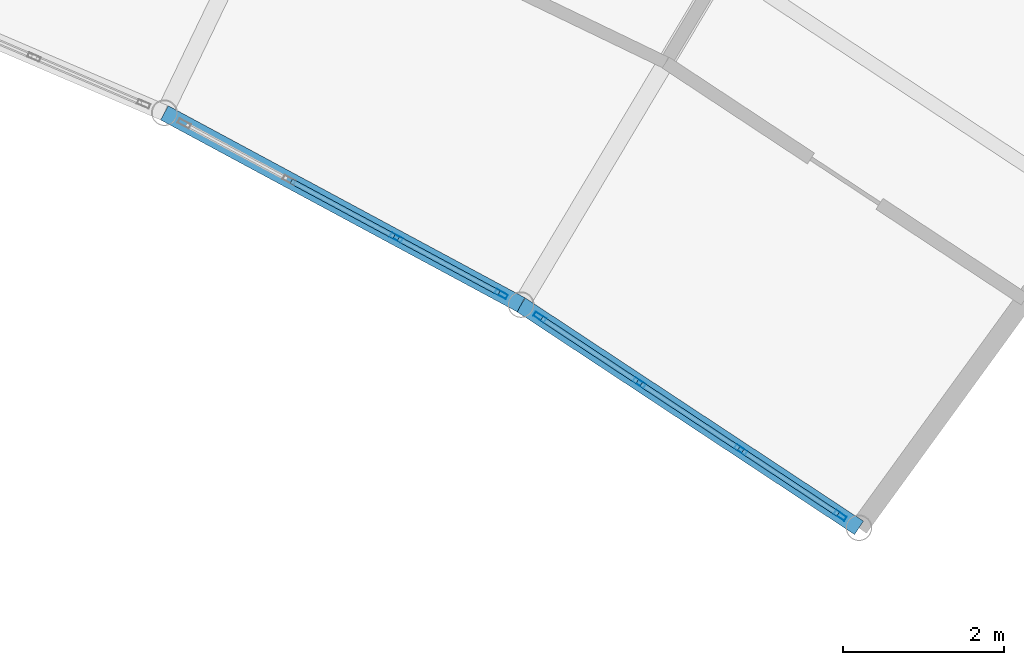
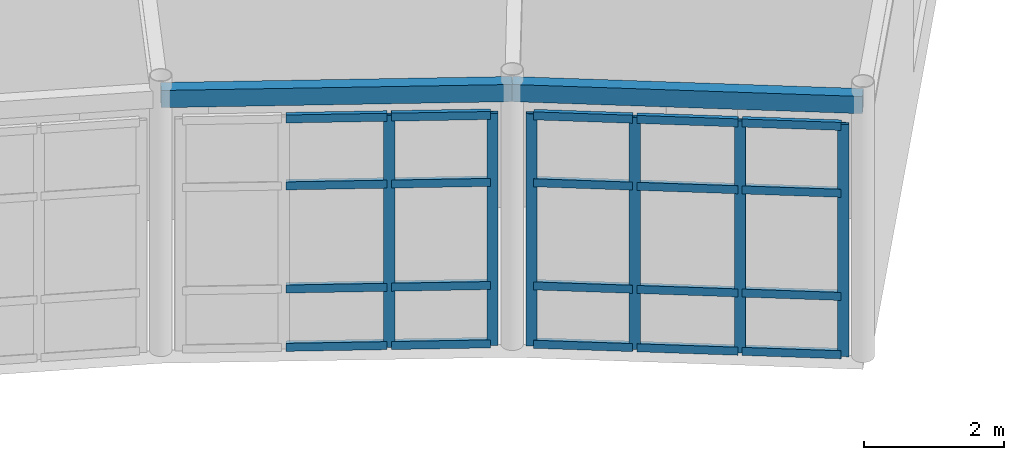
# One storey, part 68 of 105: 26 members, 2 beams, 2 elements without a shape of their own.
"""IFC4 building model written with IfcOpenShell, lengths in metres."""

from ifc_helpers import new_model, si_unit, direction, frame, origin, origin_2d, place, context, subcontext, project, spatial, hollow_rectangle, extrude, material, layer, layer_set, material_profile, profile_set, type_object, element, aggregate, save


model = new_model("IFC4")

# Units and contexts
model_context = context("Model", 3, precision=1e-05, world=origin(), true_north=direction((0.0, 1.0)))
body_context = subcontext(model_context, "Body", "Model", "MODEL_VIEW")
ifc_project = project(units=[si_unit("LENGTHUNIT", "METRE"), si_unit("AREAUNIT", "SQUARE_METRE"), si_unit("VOLUMEUNIT", "CUBIC_METRE"), si_unit("PLANEANGLEUNIT", "RADIAN"), si_unit("MASSUNIT", "GRAM", prefix="KILO")], contexts=[model_context])

# Site, building, storey
site_placement = place(None, origin())
site = spatial("IfcSite", under=ifc_project, at=site_placement, CompositionType="ELEMENT")
building_placement = place(site_placement, origin())
building = spatial("IfcBuilding", under=site, at=building_placement, Name="Selat Folded Stagehouse", CompositionType="ELEMENT")
storey_placement = place(building_placement, frame((0.0, 0.0, 10.199951171875)))
storey = spatial("IfcBuildingStorey", under=building, at=storey_placement, Name="L02", CompositionType="ELEMENT", Elevation=10.199951171875)

# Curtain wall, members
ifc_material_1 = material(Name="Aluminium 6063-T6", Category="aluminium")
ifc_layer = layer(ifc_material_1, 0.18994140625)
ifc_layer_set = layer_set([ifc_layer], Name="Aluminium 6063-T6")
curtain_wall_type = type_object("IfcCurtainWallType", Name="CW-REH-ARC", PredefinedType="NOTDEFINED", material=ifc_layer_set)
curtain_wall_1_placement = place(storey_placement, origin())
curtain_wall_1 = element("IfcCurtainWall", 1, at=curtain_wall_1_placement, inside=storey, type_object=curtain_wall_type, Name="L02 curtain wall CW-REH-L02-12", PredefinedType="NOTDEFINED")
ifc_material_profile_1 = material_profile(ifc_material_1, hollow_rectangle(XDim=0.06005859375, YDim=0.159912109375, WallThickness=0.00390625, at=origin_2d()), Name="ALU 160x60x4.0")
ifc_profile_set_1 = profile_set([ifc_material_profile_1], Name="Aluminium 6063-T6")
member_type_1 = type_object("IfcMemberType", Name="CWM-MUL-160x60", PredefinedType="MULLION", material=ifc_profile_set_1)
member_1_placement = place(storey_placement, frame((120.8759765625, 86.205810546875, 0.0), z_axis=(0.0, 0.0, 1.0), x_axis=(-0.473858636259, -0.880600927119, 0.0)))
member_1 = element("IfcMember", 2, at=member_1_placement, type_object=member_type_1, Name="CW-06 mullion 1", PredefinedType="MULLION", context=body_context, shape_type="SweptSolid", body=[
    extrude(hollow_rectangle(XDim=0.06005859375, YDim=0.159912109375, WallThickness=0.00390625, at=origin_2d()), origin(), (0.0, 0.0, 1.0), 4.050048828125),
])
member_2_placement = place(storey_placement, frame((119.573974609375, 86.90625, 0.0), z_axis=(0.0, 0.0, 1.0), x_axis=(-0.473858636259, -0.880600927119, 0.0)))
member_2 = element("IfcMember", 3, at=member_2_placement, type_object=member_type_1, Name="CW-06 mullion 2", PredefinedType="MULLION", context=body_context, shape_type="SweptSolid", body=[
    extrude(hollow_rectangle(XDim=0.06005859375, YDim=0.159912109375, WallThickness=0.00390625, at=origin_2d()), origin(), (0.0, 0.0, 1.0), 4.050048828125),
])

curtain_wall_2_placement = place(storey_placement, origin())
curtain_wall_2 = element("IfcCurtainWall", 4, at=curtain_wall_2_placement, inside=storey, type_object=curtain_wall_type, Name="L02 curtain wall CW-REH-L02-13", PredefinedType="NOTDEFINED")
member_3_placement = place(storey_placement, frame((125.082275390625, 83.459228515625, 0.0), z_axis=(0.0, 0.0, 1.0), x_axis=(-0.550884695619, -0.834581363399, 0.0)))
member_3 = element("IfcMember", 5, at=member_3_placement, type_object=member_type_1, Name="CW-06 mullion 1", PredefinedType="MULLION", context=body_context, shape_type="SweptSolid", body=[
    extrude(hollow_rectangle(XDim=0.06005859375, YDim=0.159912109375, WallThickness=0.00390625, at=origin_2d()), origin(), (0.0, 0.0, 1.0), 4.050048828125),
])
member_4_placement = place(storey_placement, frame((123.8486328125, 84.273681640625, 0.0), z_axis=(0.0, 0.0, 1.0), x_axis=(-0.550884695619, -0.834581363399, 0.0)))
member_4 = element("IfcMember", 6, at=member_4_placement, type_object=member_type_1, Name="CW-06 mullion 2", PredefinedType="MULLION", context=body_context, shape_type="SweptSolid", body=[
    extrude(hollow_rectangle(XDim=0.06005859375, YDim=0.159912109375, WallThickness=0.00390625, at=origin_2d()), origin(), (0.0, 0.0, 1.0), 4.050048828125),
])
member_5_placement = place(storey_placement, frame((122.58984375, 85.1044921875, 0.0), z_axis=(0.0, 0.0, 1.0), x_axis=(-0.550884695619, -0.834581363399, 0.0)))
member_5 = element("IfcMember", 7, at=member_5_placement, type_object=member_type_1, Name="CW-06 mullion 3", PredefinedType="MULLION", context=body_context, shape_type="SweptSolid", body=[
    extrude(hollow_rectangle(XDim=0.06005859375, YDim=0.159912109375, WallThickness=0.00390625, at=origin_2d()), origin(), (0.0, 0.0, 1.0), 4.050048828125),
])
member_6_placement = place(storey_placement, frame((121.35595703125, 85.9189453125, 0.0), z_axis=(0.0, 0.0, 1.0), x_axis=(-0.550884695619, -0.834581363399, 0.0)))
member_6 = element("IfcMember", 8, at=member_6_placement, type_object=member_type_1, Name="CW-06 mullion 4", PredefinedType="MULLION", context=body_context, shape_type="SweptSolid", body=[
    extrude(hollow_rectangle(XDim=0.06005859375, YDim=0.159912109375, WallThickness=0.00390625, at=origin_2d()), origin(), (0.0, 0.0, 1.0), 4.050048828125),
])

# Member
ifc_material_profile_2 = material_profile(ifc_material_1, hollow_rectangle(XDim=0.06494140625, YDim=0.139892578125, WallThickness=0.00390625, at=origin_2d()), Name="ALU 140x65x4.0")
ifc_profile_set_2 = profile_set([ifc_material_profile_2], Name="Aluminium 6063-T6")
member_type_2 = type_object("IfcMemberType", Name="CWM-TRN-140x65", PredefinedType="USERDEFINED", material=ifc_profile_set_2)
member_7_placement = place(storey_placement, frame((120.849365234375, 86.219970703125, 0.032470703125), z_axis=(-0.880559529871, 0.473935559283, 0.0), x_axis=(-0.473935559283, -0.880559529871, 0.0)))
member_7 = element("IfcMember", 9, at=member_7_placement, type_object=member_type_2, Name="CW-06 transom 1.1", ObjectType="TRANSOM", PredefinedType="USERDEFINED", context=body_context, shape_type="SweptSolid", body=[
    extrude(hollow_rectangle(XDim=0.06494140625, YDim=0.139892578125, WallThickness=0.00390625, at=origin_2d()), origin(), (0.0, 0.0, 1.0), 1.418212890625),
])

member_8_placement = place(storey_placement, frame((120.849365234375, 86.219970703125, 1.050048828125), z_axis=(-0.880559529871, 0.473935559283, 0.0), x_axis=(-0.473935559283, -0.880559529871, 0.0)))
member_8 = element("IfcMember", 10, at=member_8_placement, type_object=member_type_2, Name="CW-06 transom 1.2", ObjectType="TRANSOM", PredefinedType="USERDEFINED", context=body_context, shape_type="SweptSolid", body=[
    extrude(hollow_rectangle(XDim=0.06494140625, YDim=0.139892578125, WallThickness=0.00390625, at=origin_2d()), origin(), (0.0, 0.0, 1.0), 1.418212890625),
])

member_9_placement = place(storey_placement, frame((120.849365234375, 86.219970703125, 2.85009765625), z_axis=(-0.880559529871, 0.473935559283, 0.0), x_axis=(-0.473935559283, -0.880559529871, 0.0)))
member_9 = element("IfcMember", 11, at=member_9_placement, type_object=member_type_2, Name="CW-06 transom 1.3", ObjectType="TRANSOM", PredefinedType="USERDEFINED", context=body_context, shape_type="SweptSolid", body=[
    extrude(hollow_rectangle(XDim=0.06494140625, YDim=0.139892578125, WallThickness=0.00390625, at=origin_2d()), origin(), (0.0, 0.0, 1.0), 1.418212890625),
])

member_10_placement = place(storey_placement, frame((120.849365234375, 86.219970703125, 4.017578125), z_axis=(-0.880559529871, 0.473935559283, 0.0), x_axis=(-0.473935559283, -0.880559529871, 0.0)))
member_10 = element("IfcMember", 12, at=member_10_placement, type_object=member_type_2, Name="CW-06 transom 1.4", ObjectType="TRANSOM", PredefinedType="USERDEFINED", context=body_context, shape_type="SweptSolid", body=[
    extrude(hollow_rectangle(XDim=0.06494140625, YDim=0.139892578125, WallThickness=0.00390625, at=origin_2d()), origin(), (0.0, 0.0, 1.0), 1.418212890625),
])

member_11_placement = place(storey_placement, frame((119.547607421875, 86.920654296875, 0.032470703125), z_axis=(-0.880606383505, 0.473848496178, 0.0), x_axis=(-0.473848496178, -0.880606383505, 0.0)))
member_11 = element("IfcMember", 13, at=member_11_placement, type_object=member_type_2, Name="CW-06 transom 2.1", ObjectType="TRANSOM", PredefinedType="USERDEFINED", context=body_context, shape_type="SweptSolid", body=[
    extrude(hollow_rectangle(XDim=0.06494140625, YDim=0.139892578125, WallThickness=0.00390625, at=origin_2d()), origin(), (0.0, 0.0, 1.0), 1.4482421875),
])

member_12_placement = place(storey_placement, frame((119.547607421875, 86.920654296875, 1.050048828125), z_axis=(-0.880606383505, 0.473848496178, 0.0), x_axis=(-0.473848496178, -0.880606383505, 0.0)))
member_12 = element("IfcMember", 14, at=member_12_placement, type_object=member_type_2, Name="CW-06 transom 2.2", ObjectType="TRANSOM", PredefinedType="USERDEFINED", context=body_context, shape_type="SweptSolid", body=[
    extrude(hollow_rectangle(XDim=0.06494140625, YDim=0.139892578125, WallThickness=0.00390625, at=origin_2d()), origin(), (0.0, 0.0, 1.0), 1.4482421875),
])

member_13_placement = place(storey_placement, frame((119.547607421875, 86.920654296875, 2.85009765625), z_axis=(-0.880606383505, 0.473848496178, 0.0), x_axis=(-0.473848496178, -0.880606383505, 0.0)))
member_13 = element("IfcMember", 15, at=member_13_placement, type_object=member_type_2, Name="CW-06 transom 2.3", ObjectType="TRANSOM", PredefinedType="USERDEFINED", context=body_context, shape_type="SweptSolid", body=[
    extrude(hollow_rectangle(XDim=0.06494140625, YDim=0.139892578125, WallThickness=0.00390625, at=origin_2d()), origin(), (0.0, 0.0, 1.0), 1.4482421875),
])

member_14_placement = place(storey_placement, frame((119.547607421875, 86.920654296875, 4.017578125), z_axis=(-0.880606383505, 0.473848496178, 0.0), x_axis=(-0.473848496178, -0.880606383505, 0.0)))
member_14 = element("IfcMember", 16, at=member_14_placement, type_object=member_type_2, Name="CW-06 transom 2.4", ObjectType="TRANSOM", PredefinedType="USERDEFINED", context=body_context, shape_type="SweptSolid", body=[
    extrude(hollow_rectangle(XDim=0.06494140625, YDim=0.139892578125, WallThickness=0.00390625, at=origin_2d()), origin(), (0.0, 0.0, 1.0), 1.4482421875),
])

aggregate(curtain_wall_1, [member_1, member_2, member_7, member_8, member_9, member_10, member_11, member_12, member_13, member_14])

member_15_placement = place(storey_placement, frame((125.057373046875, 83.475830078125, 0.032470703125), z_axis=(-0.834636310659, 0.550801442382, 0.0), x_axis=(-0.550801442382, -0.834636310659, 0.0)))
member_15 = element("IfcMember", 17, at=member_15_placement, type_object=member_type_2, Name="CW-06 transom 1.1", ObjectType="TRANSOM", PredefinedType="USERDEFINED", context=body_context, shape_type="SweptSolid", body=[
    extrude(hollow_rectangle(XDim=0.06494140625, YDim=0.139892578125, WallThickness=0.00390625, at=origin_2d()), origin(), (0.0, 0.0, 1.0), 1.41845703125),
])

member_16_placement = place(storey_placement, frame((125.057373046875, 83.475830078125, 1.050048828125), z_axis=(-0.834636310659, 0.550801442382, 0.0), x_axis=(-0.550801442382, -0.834636310659, 0.0)))
member_16 = element("IfcMember", 18, at=member_16_placement, type_object=member_type_2, Name="CW-06 transom 1.2", ObjectType="TRANSOM", PredefinedType="USERDEFINED", context=body_context, shape_type="SweptSolid", body=[
    extrude(hollow_rectangle(XDim=0.06494140625, YDim=0.139892578125, WallThickness=0.00390625, at=origin_2d()), origin(), (0.0, 0.0, 1.0), 1.41845703125),
])

member_17_placement = place(storey_placement, frame((125.057373046875, 83.475830078125, 2.85009765625), z_axis=(-0.834636310659, 0.550801442382, 0.0), x_axis=(-0.550801442382, -0.834636310659, 0.0)))
member_17 = element("IfcMember", 19, at=member_17_placement, type_object=member_type_2, Name="CW-06 transom 1.3", ObjectType="TRANSOM", PredefinedType="USERDEFINED", context=body_context, shape_type="SweptSolid", body=[
    extrude(hollow_rectangle(XDim=0.06494140625, YDim=0.139892578125, WallThickness=0.00390625, at=origin_2d()), origin(), (0.0, 0.0, 1.0), 1.41845703125),
])

member_18_placement = place(storey_placement, frame((125.057373046875, 83.475830078125, 4.017578125), z_axis=(-0.834636310659, 0.550801442382, 0.0), x_axis=(-0.550801442382, -0.834636310659, 0.0)))
member_18 = element("IfcMember", 20, at=member_18_placement, type_object=member_type_2, Name="CW-06 transom 1.4", ObjectType="TRANSOM", PredefinedType="USERDEFINED", context=body_context, shape_type="SweptSolid", body=[
    extrude(hollow_rectangle(XDim=0.06494140625, YDim=0.139892578125, WallThickness=0.00390625, at=origin_2d()), origin(), (0.0, 0.0, 1.0), 1.41845703125),
])

member_19_placement = place(storey_placement, frame((123.823486328125, 84.2900390625, 0.032470703125), z_axis=(-0.834583056491, 0.550882130603, 0.0), x_axis=(-0.550882130603, -0.834583056491, 0.0)))
member_19 = element("IfcMember", 21, at=member_19_placement, type_object=member_type_2, Name="CW-06 transom 2.1", ObjectType="TRANSOM", PredefinedType="USERDEFINED", context=body_context, shape_type="SweptSolid", body=[
    extrude(hollow_rectangle(XDim=0.06494140625, YDim=0.139892578125, WallThickness=0.00390625, at=origin_2d()), origin(), (0.0, 0.0, 1.0), 1.4482421875),
])

member_20_placement = place(storey_placement, frame((123.823486328125, 84.2900390625, 1.050048828125), z_axis=(-0.834583056491, 0.550882130603, 0.0), x_axis=(-0.550882130603, -0.834583056491, 0.0)))
member_20 = element("IfcMember", 22, at=member_20_placement, type_object=member_type_2, Name="CW-06 transom 2.2", ObjectType="TRANSOM", PredefinedType="USERDEFINED", context=body_context, shape_type="SweptSolid", body=[
    extrude(hollow_rectangle(XDim=0.06494140625, YDim=0.139892578125, WallThickness=0.00390625, at=origin_2d()), origin(), (0.0, 0.0, 1.0), 1.4482421875),
])

member_21_placement = place(storey_placement, frame((123.823486328125, 84.2900390625, 2.85009765625), z_axis=(-0.834583056491, 0.550882130603, 0.0), x_axis=(-0.550882130603, -0.834583056491, 0.0)))
member_21 = element("IfcMember", 23, at=member_21_placement, type_object=member_type_2, Name="CW-06 transom 2.3", ObjectType="TRANSOM", PredefinedType="USERDEFINED", context=body_context, shape_type="SweptSolid", body=[
    extrude(hollow_rectangle(XDim=0.06494140625, YDim=0.139892578125, WallThickness=0.00390625, at=origin_2d()), origin(), (0.0, 0.0, 1.0), 1.4482421875),
])

member_22_placement = place(storey_placement, frame((123.823486328125, 84.2900390625, 4.017578125), z_axis=(-0.834583056491, 0.550882130603, 0.0), x_axis=(-0.550882130603, -0.834583056491, 0.0)))
member_22 = element("IfcMember", 24, at=member_22_placement, type_object=member_type_2, Name="CW-06 transom 2.4", ObjectType="TRANSOM", PredefinedType="USERDEFINED", context=body_context, shape_type="SweptSolid", body=[
    extrude(hollow_rectangle(XDim=0.06494140625, YDim=0.139892578125, WallThickness=0.00390625, at=origin_2d()), origin(), (0.0, 0.0, 1.0), 1.4482421875),
])

member_23_placement = place(storey_placement, frame((122.564697265625, 85.12109375, 0.032470703125), z_axis=(-0.834584079601, 0.550880580595, 0.0), x_axis=(-0.550880580595, -0.834584079601, 0.0)))
member_23 = element("IfcMember", 25, at=member_23_placement, type_object=member_type_2, Name="CW-06 transom 3.1", ObjectType="TRANSOM", PredefinedType="USERDEFINED", context=body_context, shape_type="SweptSolid", body=[
    extrude(hollow_rectangle(XDim=0.06494140625, YDim=0.139892578125, WallThickness=0.00390625, at=origin_2d()), origin(), (0.0, 0.0, 1.0), 1.418212890625),
])

member_24_placement = place(storey_placement, frame((122.564697265625, 85.12109375, 1.050048828125), z_axis=(-0.834584079601, 0.550880580595, 0.0), x_axis=(-0.550880580595, -0.834584079601, 0.0)))
member_24 = element("IfcMember", 26, at=member_24_placement, type_object=member_type_2, Name="CW-06 transom 3.2", ObjectType="TRANSOM", PredefinedType="USERDEFINED", context=body_context, shape_type="SweptSolid", body=[
    extrude(hollow_rectangle(XDim=0.06494140625, YDim=0.139892578125, WallThickness=0.00390625, at=origin_2d()), origin(), (0.0, 0.0, 1.0), 1.418212890625),
])

member_25_placement = place(storey_placement, frame((122.564697265625, 85.12109375, 2.85009765625), z_axis=(-0.834584079601, 0.550880580595, 0.0), x_axis=(-0.550880580595, -0.834584079601, 0.0)))
member_25 = element("IfcMember", 27, at=member_25_placement, type_object=member_type_2, Name="CW-06 transom 3.3", ObjectType="TRANSOM", PredefinedType="USERDEFINED", context=body_context, shape_type="SweptSolid", body=[
    extrude(hollow_rectangle(XDim=0.06494140625, YDim=0.139892578125, WallThickness=0.00390625, at=origin_2d()), origin(), (0.0, 0.0, 1.0), 1.418212890625),
])

member_26_placement = place(storey_placement, frame((122.564697265625, 85.12109375, 4.017578125), z_axis=(-0.834584079601, 0.550880580595, 0.0), x_axis=(-0.550880580595, -0.834584079601, 0.0)))
member_26 = element("IfcMember", 28, at=member_26_placement, type_object=member_type_2, Name="CW-06 transom 3.4", ObjectType="TRANSOM", PredefinedType="USERDEFINED", context=body_context, shape_type="SweptSolid", body=[
    extrude(hollow_rectangle(XDim=0.06494140625, YDim=0.139892578125, WallThickness=0.00390625, at=origin_2d()), origin(), (0.0, 0.0, 1.0), 1.418212890625),
])

aggregate(curtain_wall_2, [member_3, member_4, member_5, member_6, member_15, member_16, member_17, member_18, member_19, member_20, member_21, member_22, member_23, member_24, member_25, member_26])

# Beams
ifc_material_2 = material(Name="Steel S355", Category="steel")
ifc_material_profile_3 = material_profile(ifc_material_2, hollow_rectangle(XDim=0.199951171875, YDim=0.300048828125, WallThickness=0.012451171875, at=origin_2d()), Name="RHS 300x200x12.5")
ifc_profile_set_3 = profile_set([ifc_material_profile_3], Name="Steel S355")
beam_type = type_object("IfcBeamType", Name="SPD-RHS-300x200", PredefinedType="SPANDREL", material=ifc_profile_set_3)
for number, where, z_axis, x_axis, name in (
    (29, (116.697509765625, 88.454345703125, 4.449951171875), (0.880574045979, -0.473908587755, 0.0), (0.473908587755, 0.880574045979, 0.0), "L02 inner curved rehearsal spandrel 13"),
    (30, (121.122314453125, 86.072998046875, 4.449951171875), (0.834583047468, -0.550882144274, 0.0), (0.550882144274, 0.834583047468, 0.0), "L02 inner curved rehearsal spandrel 14"),
):
    element("IfcBeam", number, at=place(storey_placement, frame(where, z_axis=z_axis, x_axis=x_axis)), inside=storey, type_object=beam_type, Name=name, PredefinedType="SPANDREL", context=body_context, shape_type="SweptSolid", body=[
        extrude(hollow_rectangle(XDim=0.199951171875, YDim=0.300048828125, WallThickness=0.012451171875, at=origin_2d()), origin(), (0.0, 0.0, 1.0), 5.02490234375),
    ])

save(model, "model.ifc")
